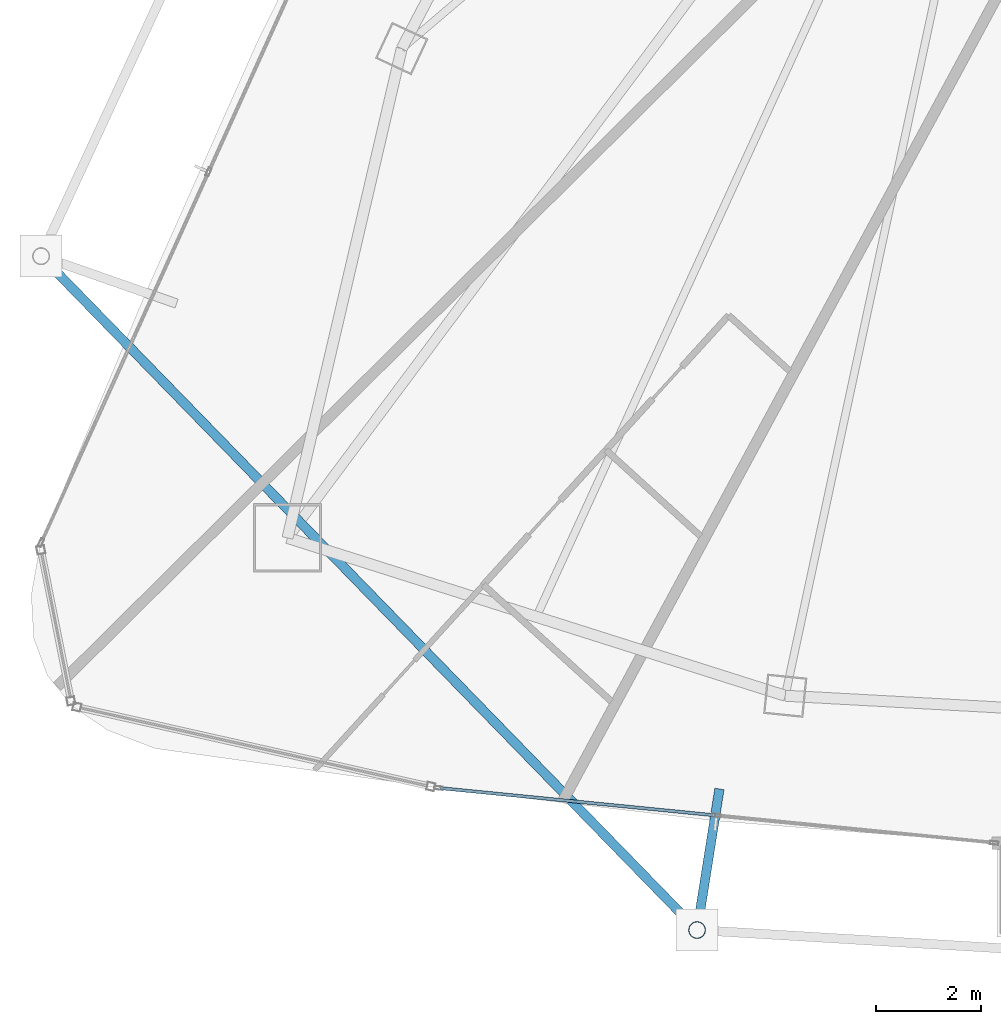
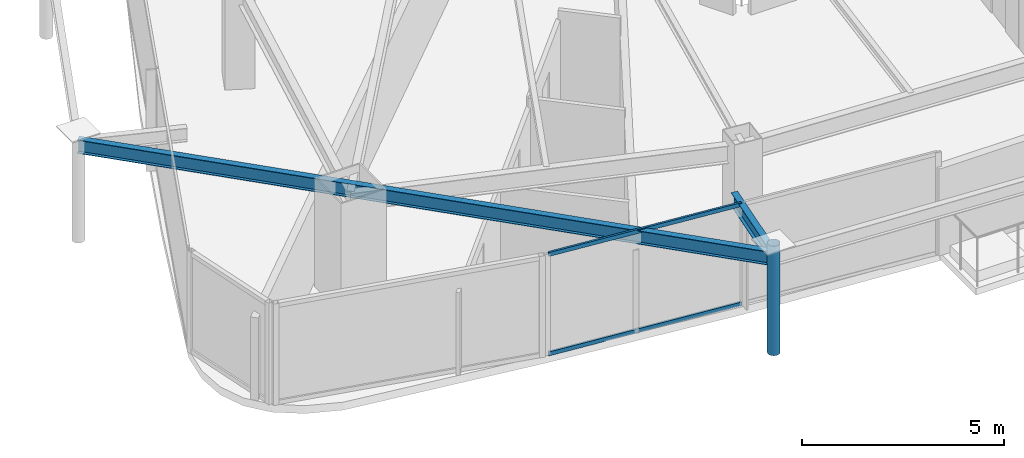
# One storey, part 3 of 34: 3 members, 2 beams, 1 element without a shape of its own.
"""IFC4 building model written with IfcOpenShell, lengths in metres."""

from ifc_helpers import new_model, si_unit, direction, frame, origin, origin_2d, place, context, subcontext, project, spatial, hollow_rectangle, hollow_circle, i_section, extrude, material, layer, layer_set, material_profile, profile_set, type_object, element, aggregate, save


model = new_model("IFC4")

# Units and contexts
model_context = context("Model", 3, precision=1e-05, world=origin(), true_north=direction((0.0, 1.0)))
body_context = subcontext(model_context, "Body", "Model", "MODEL_VIEW")
ifc_project = project(units=[si_unit("LENGTHUNIT", "METRE"), si_unit("AREAUNIT", "SQUARE_METRE"), si_unit("VOLUMEUNIT", "CUBIC_METRE"), si_unit("PLANEANGLEUNIT", "RADIAN"), si_unit("MASSUNIT", "GRAM", prefix="KILO")], contexts=[model_context])

# Site, building, storey
site_placement = place(None, origin())
site = spatial("IfcSite", under=ifc_project, at=site_placement, CompositionType="ELEMENT")
building_placement = place(site_placement, origin())
building = spatial("IfcBuilding", under=site, at=building_placement, Name="Orvanel Arch Residences", CompositionType="ELEMENT")
storey_placement = place(building_placement, frame((0.0, 0.0, 203.0)))
storey = spatial("IfcBuildingStorey", under=building, at=storey_placement, Name="L57", CompositionType="ELEMENT", Elevation=203.0)

# Beams
ifc_material_1 = material(Name="Structural steel AS/NZS 3679.1 Grade 300 (300 MPa)", Category="steel")
ifc_material_profile_1 = material_profile(ifc_material_1, i_section(OverallWidth=0.177978515625, OverallDepth=0.406005859375, WebThickness=0.0078125, FlangeThickness=0.0126953125, at=origin_2d()), Name="410UB59.7")
ifc_profile_set_1 = profile_set([ifc_material_profile_1], Name="Structural steel AS/NZS 3679.1 Grade 300 (300 MPa)")
beam_type = type_object("IfcBeamType", Name="OB-410UB-EXT", PredefinedType="SPANDREL", material=ifc_profile_set_1)
beam_1_placement = place(storey_placement, frame((9.52001953125, 15.700927734375, 2.85693359375), z_axis=(0.697526543764, -0.716558944362, 0.0), x_axis=(0.716558944362, 0.697526543764, 0.0)))
element("IfcBeam", 1, at=beam_1_placement, inside=storey, type_object=beam_type, Name="L57 Outer Perimeter Floor Ring Beam 04", PredefinedType="SPANDREL", context=body_context, shape_type="SweptSolid", body=[
    extrude(i_section(OverallWidth=0.177978515625, OverallDepth=0.406005859375, WebThickness=0.0078125, FlangeThickness=0.0126953125, at=origin_2d()), origin(), (0.0, 0.0, 1.0), 17.85595703125),
])
beam_2_placement = place(storey_placement, frame((22.39990234375, 5.5859375, 2.85693359375), z_axis=(-0.156558576566, -0.987668675267, 0.0), x_axis=(0.987668675267, -0.156558576566, 0.0)))
element("IfcBeam", 2, at=beam_2_placement, inside=storey, type_object=beam_type, Name="L57 Outer Frame Radial Tie Beam 05", PredefinedType="SPANDREL", context=body_context, shape_type="SweptSolid", body=[
    extrude(i_section(OverallWidth=0.177978515625, OverallDepth=0.406005859375, WebThickness=0.0078125, FlangeThickness=0.0126953125, at=origin_2d()), origin(), (0.0, 0.0, 1.0), 2.71337890625),
])

# Member
ifc_material_2 = material(Name="Structural steel AS/NZS 1163 C350L0 (Grade 350)", Category="steel")
ifc_material_profile_2 = material_profile(ifc_material_2, hollow_circle(Radius=0.162109375, WallThickness=0.0126953125, at=origin_2d()), Name="CHS324x12.7")
ifc_profile_set_2 = profile_set([ifc_material_profile_2], Name="Structural steel AS/NZS 1163 C350L0 (Grade 350)")
member_type_1 = type_object("IfcMemberType", Name="ST-324CHS-EXT", PredefinedType="STRUT", material=ifc_profile_set_2)
member_1_placement = place(storey_placement, frame((21.97509765625, 2.906005859375, 0.0), z_axis=(0.0, 0.0, 1.0), x_axis=(1.0, 0.0, 0.0)))
element("IfcMember", 3, at=member_1_placement, inside=storey, type_object=member_type_1, Name="L57 Outer Perimeter Frame Post 05", PredefinedType="STRUT", context=body_context, shape_type="SweptSolid", body=[
    extrude(hollow_circle(Radius=0.162109375, WallThickness=0.0126953125, at=origin_2d()), origin(), (0.0, 0.0, 1.0), 3.300048828125),
])

# Curtain wall, members
ifc_material_3 = material(Name="Bronze-anodised aluminium AA6063-T6", Category="aluminium")
ifc_layer = layer(ifc_material_3, 0.175048828125)
ifc_layer_set = layer_set([ifc_layer], Name="Bronze-anodised aluminium AA6063-T6")
curtain_wall_type = type_object("IfcCurtainWallType", Name="CW4-HI-SYS", PredefinedType="NOTDEFINED", material=ifc_layer_set)
curtain_wall_placement = place(storey_placement, origin())
curtain_wall = element("IfcCurtainWall", 4, at=curtain_wall_placement, inside=storey, type_object=curtain_wall_type, Name="L57 CW4-HI-SYS Unitised Curtain Wall", PredefinedType="NOTDEFINED")
ifc_material_profile_3 = material_profile(ifc_material_3, hollow_rectangle(XDim=0.06005859375, YDim=0.1201171875, WallThickness=0.00341796875, at=origin_2d()), Name="ALU120x60x3.5")
ifc_profile_set_3 = profile_set([ifc_material_profile_3], Name="Bronze-anodised aluminium AA6063-T6")
member_type_2 = type_object("IfcMemberType", Name="TRN-120x60", PredefinedType="USERDEFINED", material=ifc_profile_set_3)
member_2_placement = place(storey_placement, frame((17.0986328125, 5.6005859375, 0.030029296875), z_axis=(0.995145527242, -0.098414326244, 0.0), x_axis=(0.098414326244, 0.995145527242, 0.0)))
member_2 = element("IfcMember", 5, at=member_2_placement, type_object=member_type_2, Name="CW-S4 transom 1.1", ObjectType="TRANSOM", PredefinedType="USERDEFINED", context=body_context, shape_type="SweptSolid", body=[
    extrude(hollow_rectangle(XDim=0.06005859375, YDim=0.1201171875, WallThickness=0.00341796875, at=origin_2d()), origin(), (0.0, 0.0, 1.0), 5.23681640625),
])
member_3_placement = place(storey_placement, frame((17.0986328125, 5.6005859375, 3.030029296875), z_axis=(0.995145527242, -0.098414326244, 0.0), x_axis=(0.098414326244, 0.995145527242, 0.0)))
member_3 = element("IfcMember", 6, at=member_3_placement, type_object=member_type_2, Name="CW-S4 transom 1.2", ObjectType="TRANSOM", PredefinedType="USERDEFINED", context=body_context, shape_type="SweptSolid", body=[
    extrude(hollow_rectangle(XDim=0.06005859375, YDim=0.1201171875, WallThickness=0.00341796875, at=origin_2d()), origin(), (0.0, 0.0, 1.0), 5.23681640625),
])
aggregate(curtain_wall, [member_2, member_3])

save(model, "model.ifc")
